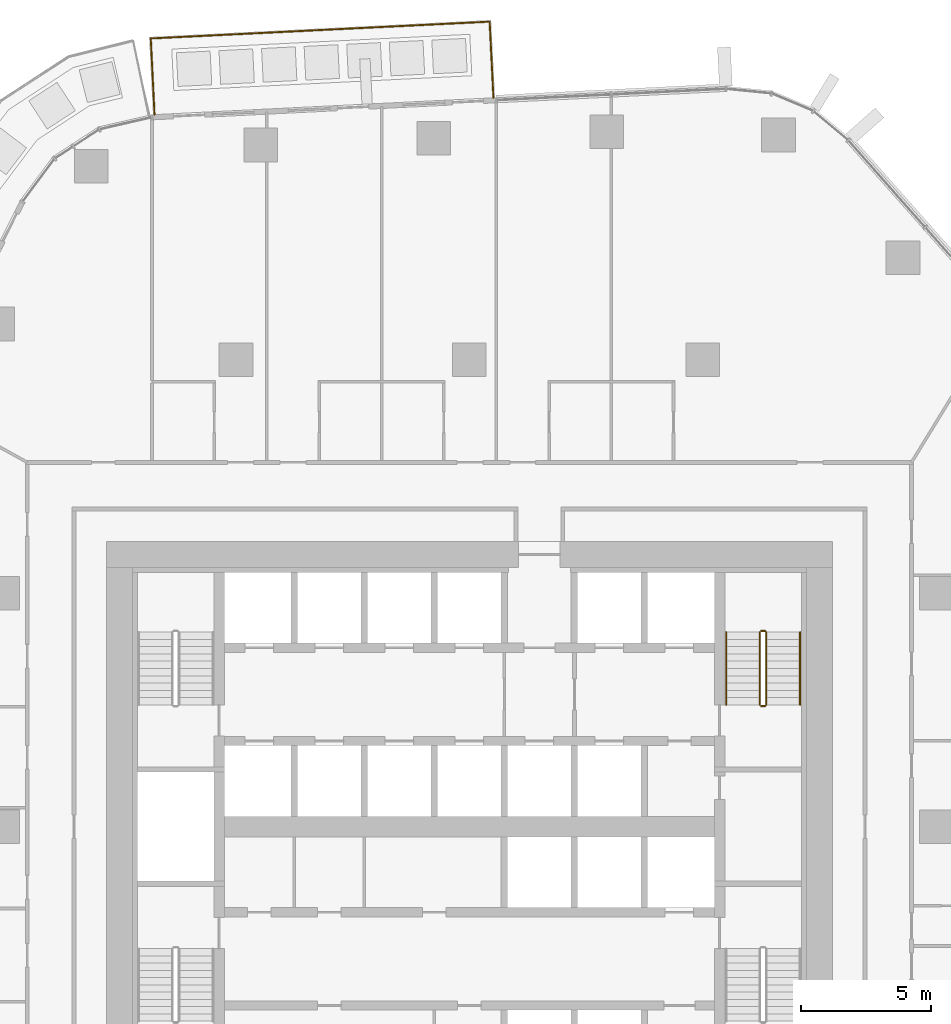
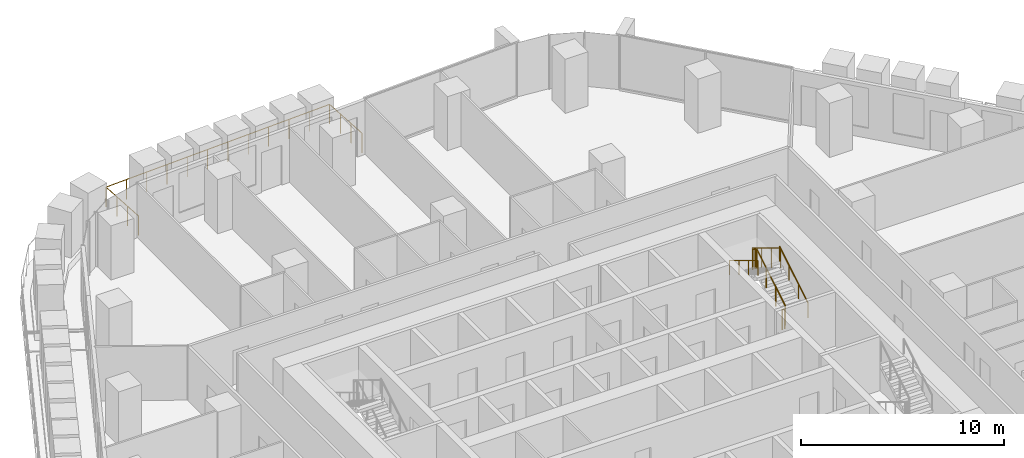
# One storey, part 23 of 24: 7 railings.
"""IFC4 building model written with IfcOpenShell, lengths in metres."""

from ifc_helpers import new_model, si_unit, direction, frame, origin, origin_2d, place, context, subcontext, project, spatial, circle, extrude, material, type_object, element, save


model = new_model("IFC4")

# Units and contexts
model_context = context("Model", 3, precision=1e-05, world=origin(), true_north=direction((0.0, 1.0)))
body_context = subcontext(model_context, "Body", "Model", "MODEL_VIEW")
ifc_project = project(units=[si_unit("LENGTHUNIT", "METRE"), si_unit("AREAUNIT", "SQUARE_METRE"), si_unit("VOLUMEUNIT", "CUBIC_METRE"), si_unit("PLANEANGLEUNIT", "RADIAN"), si_unit("MASSUNIT", "GRAM", prefix="KILO")], contexts=[model_context])

# Site, building, storey
site_placement = place(None, origin())
site = spatial("IfcSite", under=ifc_project, at=site_placement, CompositionType="ELEMENT")
building_placement = place(site_placement, origin())
building = spatial("IfcBuilding", under=site, at=building_placement, Name="Dongbaek Canopy Tower", CompositionType="ELEMENT")
storey_placement = place(building_placement, frame((0.0, 0.0, 98.89990234375)))
storey = spatial("IfcBuildingStorey", under=building, at=storey_placement, Name="L20", CompositionType="ELEMENT", Elevation=98.89990234375)

# Railings
ifc_material_1 = material(Name="Stainless steel", Category="steel")
railing_type_1 = type_object("IfcRailingType", Name="Balcony balustrade 1200", PredefinedType="BALUSTRADE", material=ifc_material_1)
railing_1_placement = place(storey_placement, frame((0.927490234375, 28.10693359375, 0.0)))
element("IfcRailing", 1, at=railing_1_placement, inside=storey, type_object=railing_type_1, Name="Balcony guard L20 2", PredefinedType="BALUSTRADE", context=body_context, shape_type="SweptSolid", body=[
    extrude(circle(Radius=0.02392578125, at=origin_2d()), frame((0.0, 0.0, 1.17578125), z_axis=(-0.049573161416, 0.998770494992, 0.0), x_axis=(-0.998770494992, -0.049573161416, 0.0)), (0.0, 0.0, 1.0), 2.940185546875),
    extrude(circle(Radius=0.02392578125, at=origin_2d()), frame((-0.145751953125, 2.9365234375, 1.17578125), z_axis=(-0.998772357808, -0.049535616267, 0.0), x_axis=(0.049535616267, -0.998772357808, 0.0)), (0.0, 0.0, 1.0), 13.08544921875),
    extrude(circle(Radius=0.02392578125, at=origin_2d()), frame((-13.215087890625, 2.288330078125, 1.17578125), z_axis=(0.049490327847, -0.998774602926, 0.0), x_axis=(0.998774602926, 0.049490327847, 0.0)), (0.0, 0.0, 1.0), 2.940185546875),
    extrude(circle(Radius=0.02099609375, at=origin_2d()), origin(), (0.0, 0.0, 1.0), 1.15185546875),
    extrude(circle(Radius=0.02099609375, at=origin_2d()), frame((-0.048583984375, 0.978759765625, 0.0)), (0.0, 0.0, 1.0), 1.15185546875),
    extrude(circle(Radius=0.02099609375, at=origin_2d()), frame((-0.09716796875, 1.957763671875, 0.0)), (0.0, 0.0, 1.0), 1.15185546875),
    extrude(circle(Radius=0.02099609375, at=origin_2d()), frame((-0.145751953125, 2.9365234375, 0.0)), (0.0, 0.0, 1.0), 1.15185546875),
    extrude(circle(Radius=0.02099609375, at=origin_2d()), frame((-1.333984375, 2.877685546875, 0.0)), (0.0, 0.0, 1.0), 1.15185546875),
    extrude(circle(Radius=0.02099609375, at=origin_2d()), frame((-2.52197265625, 2.818603515625, 0.0)), (0.0, 0.0, 1.0), 1.15185546875),
    extrude(circle(Radius=0.02099609375, at=origin_2d()), frame((-3.710205078125, 2.759765625, 0.0)), (0.0, 0.0, 1.0), 1.15185546875),
    extrude(circle(Radius=0.02099609375, at=origin_2d()), frame((-4.898193359375, 2.700927734375, 0.0)), (0.0, 0.0, 1.0), 1.15185546875),
    extrude(circle(Radius=0.02099609375, at=origin_2d()), frame((-6.08642578125, 2.641845703125, 0.0)), (0.0, 0.0, 1.0), 1.15185546875),
    extrude(circle(Radius=0.02099609375, at=origin_2d()), frame((-7.2744140625, 2.5830078125, 0.0)), (0.0, 0.0, 1.0), 1.15185546875),
    extrude(circle(Radius=0.02099609375, at=origin_2d()), frame((-8.462646484375, 2.52392578125, 0.0)), (0.0, 0.0, 1.0), 1.15185546875),
    extrude(circle(Radius=0.02099609375, at=origin_2d()), frame((-9.650634765625, 2.465087890625, 0.0)), (0.0, 0.0, 1.0), 1.15185546875),
    extrude(circle(Radius=0.02099609375, at=origin_2d()), frame((-10.8388671875, 2.40625, 0.0)), (0.0, 0.0, 1.0), 1.15185546875),
    extrude(circle(Radius=0.02099609375, at=origin_2d()), frame((-12.02685546875, 2.34716796875, 0.0)), (0.0, 0.0, 1.0), 1.15185546875),
    extrude(circle(Radius=0.02099609375, at=origin_2d()), frame((-13.215087890625, 2.288330078125, 0.0)), (0.0, 0.0, 1.0), 1.15185546875),
    extrude(circle(Radius=0.02099609375, at=origin_2d()), frame((-13.16650390625, 1.3095703125, 0.0)), (0.0, 0.0, 1.0), 1.15185546875),
    extrude(circle(Radius=0.02099609375, at=origin_2d()), frame((-13.1181640625, 0.33056640625, 0.0)), (0.0, 0.0, 1.0), 1.15185546875),
    extrude(circle(Radius=0.02099609375, at=origin_2d()), frame((-13.069580078125, -0.648193359375, 0.0)), (0.0, 0.0, 1.0), 1.15185546875),
])
ifc_material_2 = material(Name="Stainless steel tube and balusters", Category="steel")
railing_type_2 = type_object("IfcRailingType", Name="Stair guard 1200", PredefinedType="GUARDRAIL", material=ifc_material_2)
railing_2_placement = place(storey_placement, frame((11.449951171875, 4.699951171875, 0.168212890625)))
element("IfcRailing", 2, at=railing_2_placement, inside=storey, type_object=railing_type_2, Name="L20 ST-A stair guard 1", PredefinedType="GUARDRAIL", context=body_context, shape_type="SweptSolid", body=[
    extrude(circle(Radius=0.02392578125, at=origin_2d()), frame((0.0, 0.0, 1.17578125), z_axis=(0.0, 0.857242210791, 0.514913383045), x_axis=(-1.0, 0.0, 0.0)), (0.0, 0.0, 1.0), 3.266357421875),
    extrude(circle(Radius=0.02099609375, at=origin_2d()), origin(), (0.0, 0.0, 1.0), 1.15185546875),
    extrude(circle(Radius=0.02099609375, at=origin_2d()), frame((0.0, 0.933349609375, 0.560546875)), (0.0, 0.0, 1.0), 1.15185546875),
    extrude(circle(Radius=0.02099609375, at=origin_2d()), frame((0.0, 1.86669921875, 1.121337890625)), (0.0, 0.0, 1.0), 1.15185546875),
    extrude(circle(Radius=0.02099609375, at=origin_2d()), frame((0.0, 2.800048828125, 1.681884765625)), (0.0, 0.0, 1.0), 1.15185546875),
])
railing_3_placement = place(storey_placement, frame((11.39990234375, 7.550048828125, 1.85009765625)))
element("IfcRailing", 3, at=railing_3_placement, inside=storey, type_object=railing_type_2, Name="L20 ST-A stair guard 2", PredefinedType="GUARDRAIL", context=body_context, shape_type="SweptSolid", body=[
    extrude(circle(Radius=0.02392578125, at=origin_2d()), frame((0.0, 0.0, 1.17578125), z_axis=(-1.0, 0.0, 0.0), x_axis=(0.0, -1.0, 0.0)), (0.0, 0.0, 1.0), 0.14990234375),
    extrude(circle(Radius=0.02099609375, at=origin_2d()), origin(), (0.0, 0.0, 1.0), 1.15185546875),
    extrude(circle(Radius=0.02099609375, at=origin_2d()), frame((-0.14990234375, 0.0, 0.0)), (0.0, 0.0, 1.0), 1.15185546875),
])
railing_4_placement = place(storey_placement, frame((11.199951171875, 7.5, 2.018310546875)))
element("IfcRailing", 4, at=railing_4_placement, inside=storey, type_object=railing_type_2, Name="L20 ST-A stair guard 3", PredefinedType="GUARDRAIL", context=body_context, shape_type="SweptSolid", body=[
    extrude(circle(Radius=0.02392578125, at=origin_2d()), frame((0.0, 0.0, 1.17578125), z_axis=(0.0, -0.857242210791, 0.514913383045), x_axis=(1.0, 0.0, 0.0)), (0.0, 0.0, 1.0), 3.266357421875),
    extrude(circle(Radius=0.02099609375, at=origin_2d()), origin(), (0.0, 0.0, 1.0), 1.15185546875),
    extrude(circle(Radius=0.02099609375, at=origin_2d()), frame((0.0, -0.933349609375, 0.560546875)), (0.0, 0.0, 1.0), 1.15185546875),
    extrude(circle(Radius=0.02099609375, at=origin_2d()), frame((0.0, -1.86669921875, 1.121337890625)), (0.0, 0.0, 1.0), 1.15185546875),
    extrude(circle(Radius=0.02099609375, at=origin_2d()), frame((0.0, -2.800048828125, 1.681884765625)), (0.0, 0.0, 1.0), 1.15185546875),
])
railing_5_placement = place(storey_placement, frame((11.39990234375, 4.64990234375, 0.0)))
element("IfcRailing", 5, at=railing_5_placement, inside=storey, type_object=railing_type_2, Name="L20 ST-A stair guard 4", PredefinedType="GUARDRAIL", context=body_context, shape_type="SweptSolid", body=[
    extrude(circle(Radius=0.02392578125, at=origin_2d()), frame((0.0, 0.0, 1.17578125), z_axis=(-1.0, 0.0, 0.0), x_axis=(0.0, -1.0, 0.0)), (0.0, 0.0, 1.0), 0.14990234375),
    extrude(circle(Radius=0.02099609375, at=origin_2d()), origin(), (0.0, 0.0, 1.0), 1.15185546875),
    extrude(circle(Radius=0.02099609375, at=origin_2d()), frame((-0.14990234375, 0.0, 0.0)), (0.0, 0.0, 1.0), 1.15185546875),
])
ifc_material_3 = material(Name="Stainless steel tube", Category="steel")
railing_type_3 = type_object("IfcRailingType", Name="Stair handrail 900", PredefinedType="HANDRAIL", material=ifc_material_3)
railing_6_placement = place(storey_placement, frame((12.75, 4.699951171875, 0.168212890625)))
element("IfcRailing", 6, at=railing_6_placement, inside=storey, type_object=railing_type_3, Name="L20 ST-A stair handrail 1", PredefinedType="HANDRAIL", context=body_context, shape_type="SweptSolid", body=[
    extrude(circle(Radius=0.02392578125, at=origin_2d()), frame((0.0, 0.0, 0.8759765625), z_axis=(0.0, 0.857242210791, 0.514913383045), x_axis=(-1.0, 0.0, 0.0)), (0.0, 0.0, 1.0), 3.266357421875),
    extrude(circle(Radius=0.02099609375, at=origin_2d()), origin(), (0.0, 0.0, 1.0), 0.851806640625),
    extrude(circle(Radius=0.02099609375, at=origin_2d()), frame((0.0, 0.933349609375, 0.560546875)), (0.0, 0.0, 1.0), 0.851806640625),
    extrude(circle(Radius=0.02099609375, at=origin_2d()), frame((0.0, 1.86669921875, 1.121337890625)), (0.0, 0.0, 1.0), 0.851806640625),
    extrude(circle(Radius=0.02099609375, at=origin_2d()), frame((0.0, 2.800048828125, 1.681884765625)), (0.0, 0.0, 1.0), 0.851806640625),
])
railing_7_placement = place(storey_placement, frame((9.89990234375, 7.5, 2.018310546875)))
element("IfcRailing", 7, at=railing_7_placement, inside=storey, type_object=railing_type_3, Name="L20 ST-A stair handrail 2", PredefinedType="HANDRAIL", context=body_context, shape_type="SweptSolid", body=[
    extrude(circle(Radius=0.02392578125, at=origin_2d()), frame((0.0, 0.0, 0.8759765625), z_axis=(0.0, -0.857242210791, 0.514913383045), x_axis=(1.0, 0.0, 0.0)), (0.0, 0.0, 1.0), 3.266357421875),
    extrude(circle(Radius=0.02099609375, at=origin_2d()), origin(), (0.0, 0.0, 1.0), 0.851806640625),
    extrude(circle(Radius=0.02099609375, at=origin_2d()), frame((0.0, -0.933349609375, 0.560546875)), (0.0, 0.0, 1.0), 0.851806640625),
    extrude(circle(Radius=0.02099609375, at=origin_2d()), frame((0.0, -1.86669921875, 1.121337890625)), (0.0, 0.0, 1.0), 0.851806640625),
    extrude(circle(Radius=0.02099609375, at=origin_2d()), frame((0.0, -2.800048828125, 1.681884765625)), (0.0, 0.0, 1.0), 0.851806640625),
])

save(model, "model.ifc")
